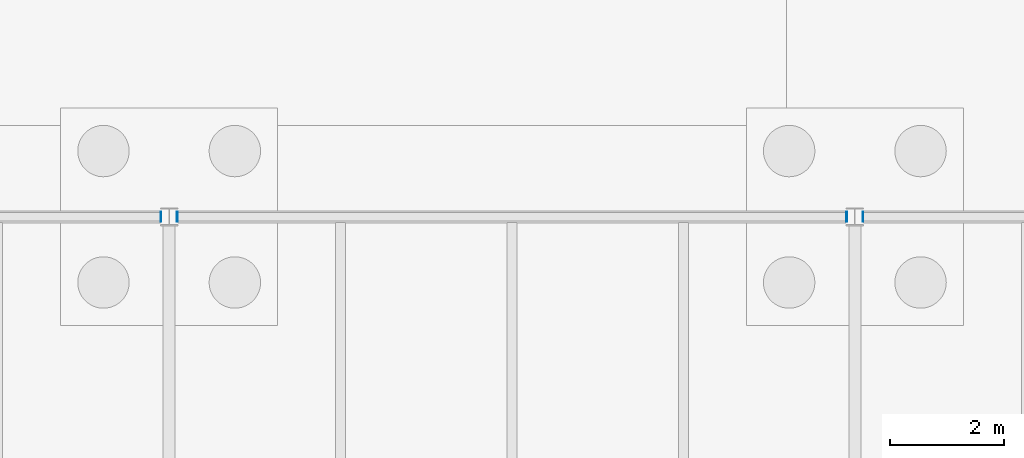
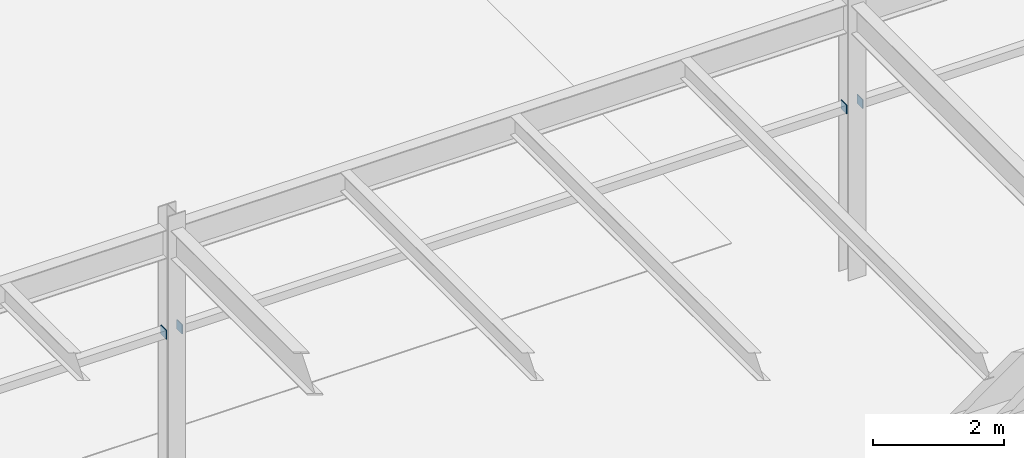
# One storey, part 150 of 188: 4 plates.
"""IFC4 building model written with IfcOpenShell, lengths in metres."""

from ifc_helpers import new_model, si_unit, direction, frame, origin, origin_2d, place, context, subcontext, project, spatial, rectangle, extrude, material, layer, layer_set, type_object, element, save


model = new_model("IFC4")

# Units and contexts
model_context = context("Model", 3, precision=1e-05, world=origin(), true_north=direction((0.0, 1.0)))
body_context = subcontext(model_context, "Body", "Model", "MODEL_VIEW")
ifc_project = project(units=[si_unit("LENGTHUNIT", "METRE"), si_unit("AREAUNIT", "SQUARE_METRE"), si_unit("VOLUMEUNIT", "CUBIC_METRE"), si_unit("PLANEANGLEUNIT", "RADIAN"), si_unit("MASSUNIT", "GRAM", prefix="KILO")], contexts=[model_context])

# Site, building, storey
site_placement = place(None, origin())
site = spatial("IfcSite", under=ifc_project, at=site_placement, CompositionType="ELEMENT")
building_placement = place(site_placement, origin())
building = spatial("IfcBuilding", under=site, at=building_placement, Name="Pandanus Reach Market Hall", CompositionType="ELEMENT")
storey_placement = place(building_placement, origin())
storey = spatial("IfcBuildingStorey", under=building, at=storey_placement, Name="L00", CompositionType="ELEMENT", Elevation=0.0)

# Plates
ifc_material = material(Name="Steel Grade 350 (350 MPa)", Category="steel")
ifc_layer = layer(ifc_material, 0.01611328125, Name="CP-PL16")
ifc_layer_set = layer_set([ifc_layer], Name="Steel Grade 350 (350 MPa)")
plate_type = type_object("IfcPlateType", Name="CP-PL16", PredefinedType="SHEET", material=ifc_layer_set)
for number, where, z_axis, x_axis, name in (
    (1, (95.85791015625, 38.39990234375, 3.06494140625), (0.0, 0.0, 1.0), (1.0, 0.0, 0.0), "Hollow lintel end cap plate CP-PL16 3B"),
    (2, (96.14208984375, 38.39990234375, 3.06494140625), (0.0, 0.0, 1.0), (1.0, 0.0, 0.0), "Hollow lintel end cap plate CP-PL16 4A"),
    (3, (107.85791015625, 38.39990234375, 3.06494140625), (0.0, 0.0, 1.0), (1.0, 0.0, 0.0), "Hollow lintel end cap plate CP-PL16 4B"),
    (4, (108.14208984375, 38.39990234375, 3.06494140625), (0.0, 0.0, 1.0), (1.0, 0.0, 0.0), "Hollow lintel end cap plate CP-PL16 5A"),
):
    element("IfcPlate", number, at=place(storey_placement, frame(where, z_axis=z_axis, x_axis=x_axis)), inside=storey, type_object=plate_type, Name=name, PredefinedType="SHEET", context=body_context, shape_type="SweptSolid", body=[
        extrude(rectangle(XDim=0.01611328125, YDim=0.169921875, at=origin_2d()), origin(), (0.0, 0.0, 1.0), 0.169921875),
    ])

save(model, "model.ifc")
